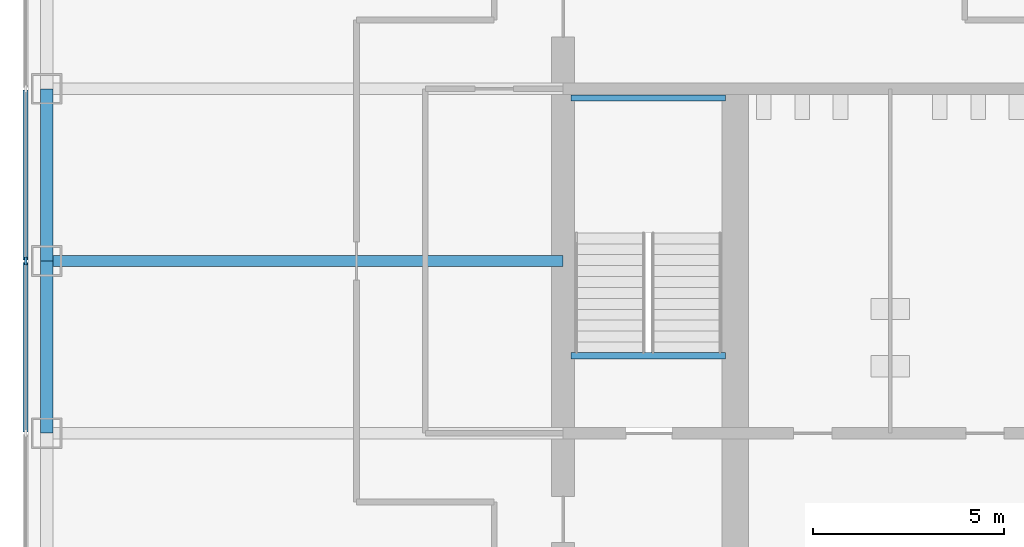
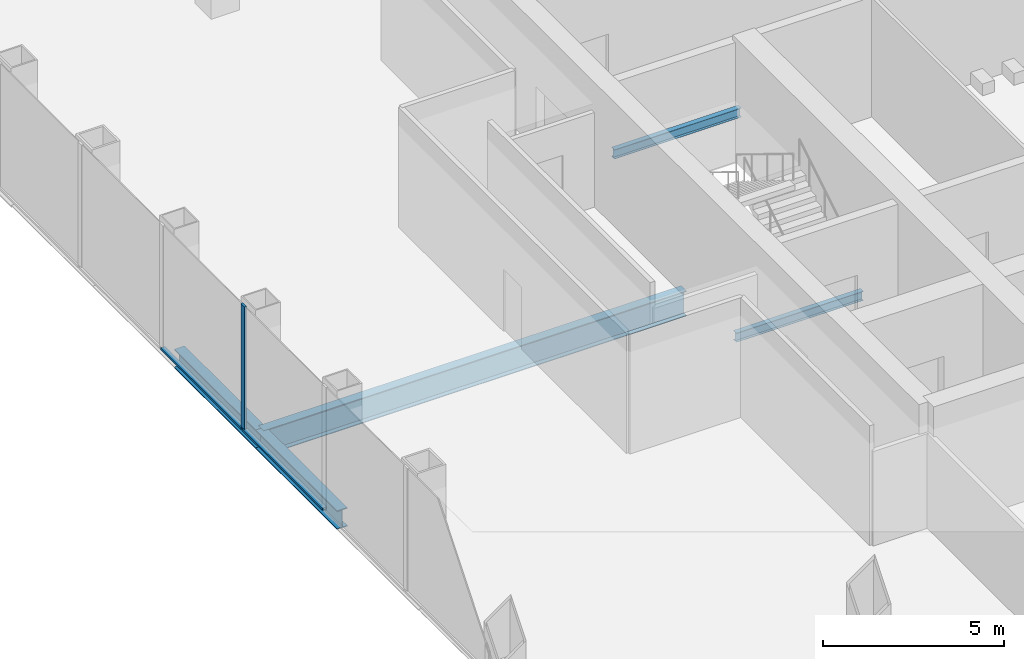
# One storey, part 3 of 12: 5 beams, 3 members, 1 element without a shape of its own.
"""IFC4 building model written with IfcOpenShell, lengths in metres."""

from ifc_helpers import new_model, si_unit, direction, frame, origin, origin_2d, place, context, subcontext, project, spatial, rectangle, i_section, extrude, material, material_profile, profile_set, type_object, element, aggregate, save


model = new_model("IFC4")

# Units and contexts
model_context = context("Model", 3, precision=1e-05, world=origin(), true_north=direction((0.0, 1.0)))
body_context = subcontext(model_context, "Body", "Model", "MODEL_VIEW")
ifc_project = project(units=[si_unit("LENGTHUNIT", "METRE"), si_unit("AREAUNIT", "SQUARE_METRE"), si_unit("VOLUMEUNIT", "CUBIC_METRE"), si_unit("PLANEANGLEUNIT", "RADIAN"), si_unit("MASSUNIT", "GRAM", prefix="KILO")], contexts=[model_context])

# Site, building, storey
site_placement = place(None, origin())
site = spatial("IfcSite", under=ifc_project, at=site_placement, CompositionType="ELEMENT")
building_placement = place(site_placement, origin())
building = spatial("IfcBuilding", under=site, at=building_placement, Name="Corais Broadcast Tower", CompositionType="ELEMENT")
storey_placement = place(building_placement, frame((0.0, 0.0, 50.0)))
storey = spatial("IfcBuildingStorey", under=building, at=storey_placement, Name="L10", CompositionType="ELEMENT", Elevation=50.0)

# Beams
ifc_material_1 = material(Name="Steel ASTM A572 Grade 50", Category="steel")
ifc_material_profile_1 = material_profile(ifc_material_1, i_section(OverallWidth=0.2939453125, OverallDepth=0.85107421875, WebThickness=0.01611328125, FlangeThickness=0.02685546875, at=origin_2d()), Name="W840x226")
ifc_profile_set_1 = profile_set([ifc_material_profile_1], Name="Steel ASTM A572 Grade 50")
beam_type_1 = type_object("IfcBeamType", Name="Floor beam W840x226", PredefinedType="BEAM", material=ifc_profile_set_1)
beam_placement = place(storey_placement, frame((0.0, 27.0, -0.58544921875), z_axis=(1.0, 0.0, 0.0), x_axis=(0.0, 1.0, 0.0)))
element("IfcBeam", 1, at=beam_placement, inside=storey, type_object=beam_type_1, Name="B1 G/3 to G/6", PredefinedType="BEAM", context=body_context, shape_type="SweptSolid", body=[
    extrude(i_section(OverallWidth=0.2939453125, OverallDepth=0.85107421875, WebThickness=0.01611328125, FlangeThickness=0.02685546875, at=origin_2d()), origin(), (0.0, 0.0, 1.0), 13.5),
])
ifc_material_2 = material(Name="Steel ASTM A572 Grade 50", Category="steel")
ifc_material_profile_2 = material_profile(ifc_material_2, i_section(OverallWidth=0.1650390625, OverallDepth=0.31005859375, WebThickness=0.005859375, FlangeThickness=0.009765625, at=origin_2d()), Name="W310x38.7")
ifc_profile_set_2 = profile_set([ifc_material_profile_2], Name="Steel ASTM A572 Grade 50")
beam_type_2 = type_object("IfcBeamType", Name="Landing trimmer W310x38.7", PredefinedType="BEAM", material=ifc_profile_set_2)
for number, where, z_axis, x_axis, name in (
    (2, (13.699951171875, 24.52490234375, -0.35498046875), (1.0, 0.0, 0.0), (0.0, 1.0, 0.0), "LT1 stair A landing trimmer L10"),
    (3, (13.699951171875, 31.260009765625, 1.7451171875), (1.0, 0.0, 0.0), (0.0, 1.0, 0.0), "LT1 stair A half landing trimmer L10"),
):
    element("IfcBeam", number, at=place(storey_placement, frame(where, z_axis=z_axis, x_axis=x_axis)), inside=storey, type_object=beam_type_2, Name=name, PredefinedType="BEAM", context=body_context, shape_type="SweptSolid", body=[
        extrude(i_section(OverallWidth=0.1650390625, OverallDepth=0.31005859375, WebThickness=0.005859375, FlangeThickness=0.009765625, at=origin_2d()), origin(), (0.0, 0.0, 1.0), 4.050048828125),
    ])

# Curtain wall, member
ifc_material_3 = material(Name="Aluminium and glass", Category="aluminium")
curtain_wall_type = type_object("IfcCurtainWallType", Name="Unitised fritted curtain wall CW1", PredefinedType="NOTDEFINED", material=ifc_material_3)
curtain_wall_placement = place(storey_placement, origin())
curtain_wall = element("IfcCurtainWall", 4, at=curtain_wall_placement, inside=storey, type_object=curtain_wall_type, Name="CW1 curtain wall L10 2", PredefinedType="NOTDEFINED")
ifc_material_4 = material(Name="Aluminium 6063-T6", Category="aluminium")
ifc_material_profile_3 = material_profile(ifc_material_4, rectangle(XDim=0.06494140625, YDim=0.199951171875, at=origin_2d()), Name="Mullion CW1 65x200")
ifc_profile_set_3 = profile_set([ifc_material_profile_3], Name="Aluminium 6063-T6")
member_type_1 = type_object("IfcMemberType", Name="Mullion CW1 65x200", PredefinedType="MULLION", material=ifc_profile_set_3)
member_1_placement = place(storey_placement, frame((-0.550048828125, 27.0, 0.0), z_axis=(0.0, 0.0, 1.0), x_axis=(-1.0, 0.0, 0.0)))
member_1 = element("IfcMember", 5, at=member_1_placement, type_object=member_type_1, Name="CW1 mullion 6", PredefinedType="MULLION", context=body_context, shape_type="SweptSolid", body=[
    extrude(rectangle(XDim=0.06494140625, YDim=0.199951171875, at=origin_2d()), origin(), (0.0, 0.0, 1.0), 4.199951171875),
])

# Beams
ifc_material_5 = material(Name="Steel ASTM A572 Grade 50", Category="steel")
ifc_material_profile_4 = material_profile(ifc_material_5, i_section(OverallWidth=0.3291015625, OverallDepth=0.635009765625, WebThickness=0.017822265625, FlangeThickness=0.031005859375, at=origin_2d()), Name="W610x241")
ifc_profile_set_4 = profile_set([ifc_material_profile_4], Name="Steel ASTM A572 Grade 50")
beam_type_3 = type_object("IfcBeamType", Name="Spandrel W610x241", PredefinedType="BEAM", material=ifc_profile_set_4)
for number, where, z_axis, x_axis, name in (
    (6, (0.0, 27.0, -0.4775390625), (0.0, -1.0, 0.0), (1.0, 0.0, 0.0), "SB1 G/3 to F/3"),
    (7, (0.0, 31.5, -0.4775390625), (0.0, -1.0, 0.0), (1.0, 0.0, 0.0), "SB1 H/3 to G/3"),
):
    element("IfcBeam", number, at=place(storey_placement, frame(where, z_axis=z_axis, x_axis=x_axis)), inside=storey, type_object=beam_type_3, Name=name, PredefinedType="BEAM", context=body_context, shape_type="SweptSolid", body=[
        extrude(i_section(OverallWidth=0.3291015625, OverallDepth=0.635009765625, WebThickness=0.017822265625, FlangeThickness=0.031005859375, at=origin_2d()), origin(), (0.0, 0.0, 1.0), 4.5),
    ])

# Member
ifc_material_6 = material(Name="Aluminium 6063-T6", Category="aluminium")
ifc_material_profile_5 = material_profile(ifc_material_6, rectangle(XDim=0.139892578125, YDim=0.06494140625, at=origin_2d()), Name="Transom CW1 65x140")
ifc_profile_set_5 = profile_set([ifc_material_profile_5], Name="Aluminium 6063-T6")
member_type_2 = type_object("IfcMemberType", Name="Transom CW1 65x140", PredefinedType="USERDEFINED", material=ifc_profile_set_5)
member_2_placement = place(storey_placement, frame((-0.550048828125, 22.532470703125, 0.032470703125), z_axis=(0.0, 1.0, 0.0), x_axis=(-1.0, 0.0, 0.0)))
member_2 = element("IfcMember", 8, at=member_2_placement, type_object=member_type_2, Name="CW1 transom 5.1", ObjectType="TRANSOM", PredefinedType="USERDEFINED", context=body_context, shape_type="SweptSolid", body=[
    extrude(rectangle(XDim=0.139892578125, YDim=0.06494140625, at=origin_2d()), origin(), (0.0, 0.0, 1.0), 4.43505859375),
])

member_3_placement = place(storey_placement, frame((-0.550048828125, 27.032470703125, 0.032470703125), z_axis=(0.0, 1.0, 0.0), x_axis=(-1.0, 0.0, 0.0)))
member_3 = element("IfcMember", 9, at=member_3_placement, type_object=member_type_2, Name="CW1 transom 6.1", ObjectType="TRANSOM", PredefinedType="USERDEFINED", context=body_context, shape_type="SweptSolid", body=[
    extrude(rectangle(XDim=0.139892578125, YDim=0.06494140625, at=origin_2d()), origin(), (0.0, 0.0, 1.0), 4.43505859375),
])

aggregate(curtain_wall, [member_1, member_2, member_3])

save(model, "model.ifc")
